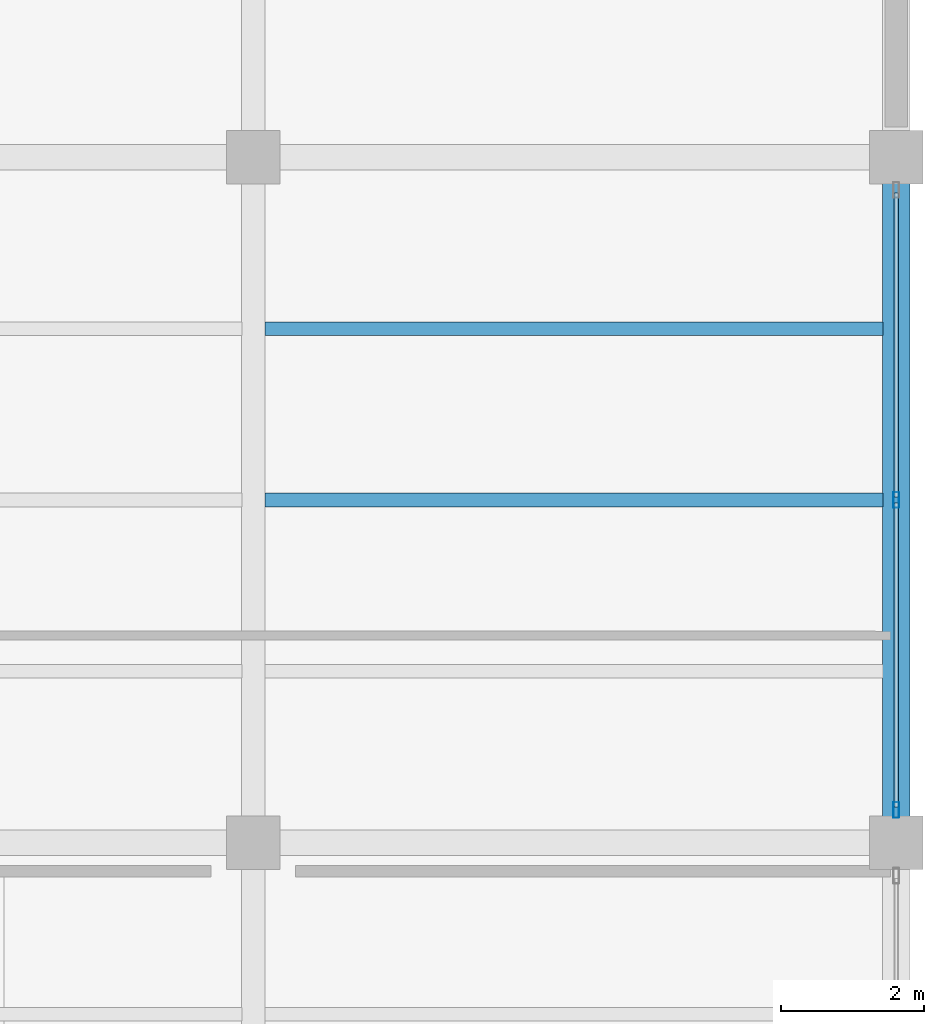
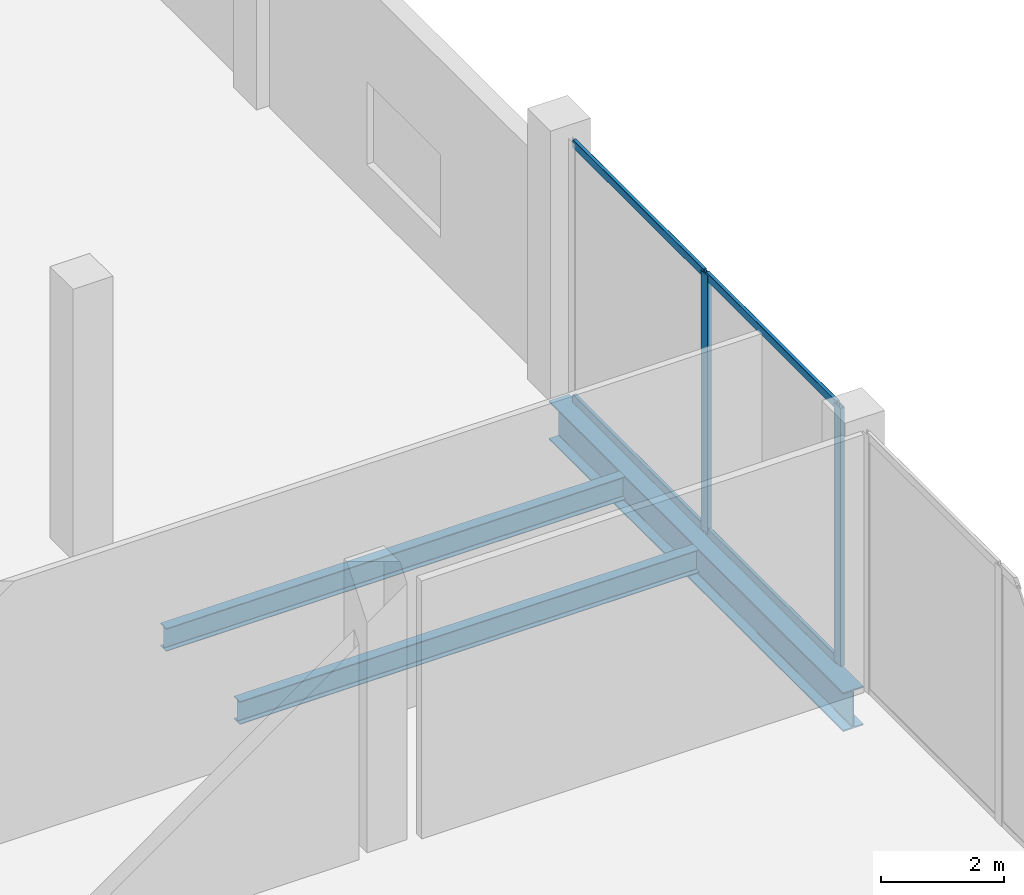
# One storey, part 22 of 47: 6 members, 3 beams, 1 element without a shape of its own.
"""IFC4 building model written with IfcOpenShell, lengths in metres."""

from ifc_helpers import new_model, si_unit, direction, frame, origin, origin_2d, place, context, subcontext, project, spatial, hollow_rectangle, i_section, extrude, material, layer, layer_set, material_profile, profile_set, type_object, element, aggregate, save


model = new_model("IFC4")

# Units and contexts
model_context = context("Model", 3, precision=1e-05, world=origin(), true_north=direction((0.0, 1.0)))
body_context = subcontext(model_context, "Body", "Model", "MODEL_VIEW")
ifc_project = project(units=[si_unit("LENGTHUNIT", "METRE"), si_unit("AREAUNIT", "SQUARE_METRE"), si_unit("VOLUMEUNIT", "CUBIC_METRE"), si_unit("PLANEANGLEUNIT", "RADIAN"), si_unit("MASSUNIT", "GRAM", prefix="KILO")], contexts=[model_context])

# Site, building, storey
site_placement = place(None, origin())
site = spatial("IfcSite", under=ifc_project, at=site_placement, CompositionType="ELEMENT")
building_placement = place(site_placement, origin())
building = spatial("IfcBuilding", under=site, at=building_placement, Name="Qorvath Tower", CompositionType="ELEMENT")
storey_placement = place(building_placement, frame((0.0, 0.0, 6.60009765625)))
storey = spatial("IfcBuildingStorey", under=building, at=storey_placement, Name="L01", CompositionType="ELEMENT", Elevation=6.60009765625)

# Beams
ifc_material_1 = material(Name="Steel ASTM A992 Grade 50", Category="steel")
ifc_material_profile_1 = material_profile(ifc_material_1, i_section(OverallWidth=0.381103515625, OverallDepth=0.77294921875, WebThickness=0.0166015625, FlangeThickness=0.027099609375, FilletRadius=0.01904296875, at=origin_2d()), Name="W30x173")
ifc_profile_set_1 = profile_set([ifc_material_profile_1], Name="Steel ASTM A992 Grade 50")
beam_type_1 = type_object("IfcBeamType", Name="BM-FG3", PredefinedType="BEAM", material=ifc_profile_set_1)
beam_placement = place(storey_placement, frame((77.39990234375, 9.60009765625, -0.646484375), z_axis=(0.0, 1.0, 0.0), x_axis=(-1.0, 0.0, 0.0)))
element("IfcBeam", 1, at=beam_placement, inside=storey, type_object=beam_type_1, Name="Library N-S Girder L01-6-6", PredefinedType="BEAM", context=body_context, shape_type="SweptSolid", body=[
    extrude(i_section(OverallWidth=0.381103515625, OverallDepth=0.77294921875, WebThickness=0.0166015625, FlangeThickness=0.027099609375, FilletRadius=0.01904296875, at=origin_2d()), origin(), (0.0, 0.0, 1.0), 9.599853515625),
])
ifc_material_2 = material(Name="Steel ASTM A992 Grade 50", Category="steel")
ifc_material_profile_2 = material_profile(ifc_material_2, i_section(OverallWidth=0.18994140625, OverallDepth=0.45703125, WebThickness=0.009033203125, FlangeThickness=0.014404296875, FilletRadius=0.011962890625, at=origin_2d()), Name="W18x50")
ifc_profile_set_2 = profile_set([ifc_material_profile_2], Name="Steel ASTM A992 Grade 50")
beam_type_2 = type_object("IfcBeamType", Name="BM-FJ2", PredefinedType="JOIST", material=ifc_profile_set_2)
for number, where, z_axis, x_axis, name in (
    (2, (68.560546875, 14.39990234375, -0.488525390625), (1.0, 0.0, 0.0), (0.0, 1.0, 0.0), "Library Stack Joist L01-6.2-5"),
    (3, (68.560546875, 16.800048828125, -0.488525390625), (1.0, 0.0, 0.0), (0.0, 1.0, 0.0), "Library Stack Joist L01-6.3-5"),
):
    element("IfcBeam", number, at=place(storey_placement, frame(where, z_axis=z_axis, x_axis=x_axis)), inside=storey, type_object=beam_type_2, Name=name, PredefinedType="JOIST", context=body_context, shape_type="SweptSolid", body=[
        extrude(i_section(OverallWidth=0.18994140625, OverallDepth=0.45703125, WebThickness=0.009033203125, FlangeThickness=0.014404296875, FilletRadius=0.011962890625, at=origin_2d()), origin(), (0.0, 0.0, 1.0), 8.65087890625),
    ])

# Curtain wall, members
ifc_material_3 = material(Name="Anodised aluminium and triple low-E glass", Category="aluminium")
ifc_layer = layer(ifc_material_3, 0.179931640625)
ifc_layer_set = layer_set([ifc_layer], Name="CW-SYS-6")
curtain_wall_type = type_object("IfcCurtainWallType", Name="CW-SYS-6", PredefinedType="NOTDEFINED", material=ifc_layer_set)
curtain_wall_placement = place(storey_placement, origin())
curtain_wall = element("IfcCurtainWall", 4, at=curtain_wall_placement, inside=storey, type_object=curtain_wall_type, Name="Curtain Wall CW-6 CW-LIB-E-L01-6", PredefinedType="NOTDEFINED")
ifc_material_4 = material(Name="Anodised aluminium 6063-T6", Category="aluminium")
ifc_material_profile_3 = material_profile(ifc_material_4, hollow_rectangle(XDim=0.080078125, YDim=0.219970703125, WallThickness=0.00439453125, InnerFilletRadius=0.00439453125, OuterFilletRadius=0.009033203125, at=origin_2d()), Name="CWM LIB 220x80")
ifc_profile_set_3 = profile_set([ifc_material_profile_3], Name="Anodised aluminium 6063-T6")
member_type_1 = type_object("IfcMemberType", Name="CWM-LIB", PredefinedType="MULLION", material=ifc_profile_set_3)
member_1_placement = place(storey_placement, frame((77.39990234375, 10.06005859375, 0.0), z_axis=(0.0, 0.0, 1.0), x_axis=(-1.0, 0.0, 0.0)))
member_1 = element("IfcMember", 5, at=member_1_placement, type_object=member_type_1, Name="CW-6 mullion 1", PredefinedType="MULLION", context=body_context, shape_type="SweptSolid", body=[
    extrude(hollow_rectangle(XDim=0.080078125, YDim=0.219970703125, WallThickness=0.00439453125, InnerFilletRadius=0.00439453125, OuterFilletRadius=0.009033203125, at=origin_2d()), origin(), (0.0, 0.0, 1.0), 5.139892578125),
])
member_2_placement = place(storey_placement, frame((77.39990234375, 14.39990234375, 0.0), z_axis=(0.0, 0.0, 1.0), x_axis=(-1.0, 0.0, 0.0)))
member_2 = element("IfcMember", 6, at=member_2_placement, type_object=member_type_1, Name="CW-6 mullion 2", PredefinedType="MULLION", context=body_context, shape_type="SweptSolid", body=[
    extrude(hollow_rectangle(XDim=0.080078125, YDim=0.219970703125, WallThickness=0.00439453125, InnerFilletRadius=0.00439453125, OuterFilletRadius=0.009033203125, at=origin_2d()), origin(), (0.0, 0.0, 1.0), 5.139892578125),
])
ifc_material_5 = material(Name="Anodised aluminium 6063-T6", Category="aluminium")
ifc_material_profile_4 = material_profile(ifc_material_5, hollow_rectangle(XDim=0.06494140625, YDim=0.159912109375, WallThickness=0.00341796875, InnerFilletRadius=0.00341796875, OuterFilletRadius=0.007080078125, at=origin_2d()), Name="CWT 160x65")
ifc_profile_set_4 = profile_set([ifc_material_profile_4], Name="Anodised aluminium 6063-T6")
member_type_2 = type_object("IfcMemberType", Name="CWT-160", PredefinedType="USERDEFINED", material=ifc_profile_set_4)
member_3_placement = place(storey_placement, frame((77.39990234375, 10.10009765625, 0.032470703125), z_axis=(0.0, 1.0, 0.0), x_axis=(-1.0, 0.0, 0.0)))
member_3 = element("IfcMember", 7, at=member_3_placement, type_object=member_type_2, Name="CW-6 transom 1.1", ObjectType="TRANSOM", PredefinedType="USERDEFINED", context=body_context, shape_type="SweptSolid", body=[
    extrude(hollow_rectangle(XDim=0.06494140625, YDim=0.159912109375, WallThickness=0.00341796875, InnerFilletRadius=0.00341796875, OuterFilletRadius=0.007080078125, at=origin_2d()), origin(), (0.0, 0.0, 1.0), 4.260009765625),
])
member_4_placement = place(storey_placement, frame((77.39990234375, 10.10009765625, 5.107421875), z_axis=(0.0, 1.0, 0.0), x_axis=(-1.0, 0.0, 0.0)))
member_4 = element("IfcMember", 8, at=member_4_placement, type_object=member_type_2, Name="CW-6 transom 1.2", ObjectType="TRANSOM", PredefinedType="USERDEFINED", context=body_context, shape_type="SweptSolid", body=[
    extrude(hollow_rectangle(XDim=0.06494140625, YDim=0.159912109375, WallThickness=0.00341796875, InnerFilletRadius=0.00341796875, OuterFilletRadius=0.007080078125, at=origin_2d()), origin(), (0.0, 0.0, 1.0), 4.260009765625),
])
member_5_placement = place(storey_placement, frame((77.39990234375, 14.43994140625, 0.032470703125), z_axis=(0.0, 1.0, 0.0), x_axis=(-1.0, 0.0, 0.0)))
member_5 = element("IfcMember", 9, at=member_5_placement, type_object=member_type_2, Name="CW-6 transom 2.1", ObjectType="TRANSOM", PredefinedType="USERDEFINED", context=body_context, shape_type="SweptSolid", body=[
    extrude(hollow_rectangle(XDim=0.06494140625, YDim=0.159912109375, WallThickness=0.00341796875, InnerFilletRadius=0.00341796875, OuterFilletRadius=0.007080078125, at=origin_2d()), origin(), (0.0, 0.0, 1.0), 4.260009765625),
])
member_6_placement = place(storey_placement, frame((77.39990234375, 14.43994140625, 5.107421875), z_axis=(0.0, 1.0, 0.0), x_axis=(-1.0, 0.0, 0.0)))
member_6 = element("IfcMember", 10, at=member_6_placement, type_object=member_type_2, Name="CW-6 transom 2.2", ObjectType="TRANSOM", PredefinedType="USERDEFINED", context=body_context, shape_type="SweptSolid", body=[
    extrude(hollow_rectangle(XDim=0.06494140625, YDim=0.159912109375, WallThickness=0.00341796875, InnerFilletRadius=0.00341796875, OuterFilletRadius=0.007080078125, at=origin_2d()), origin(), (0.0, 0.0, 1.0), 4.260009765625),
])
aggregate(curtain_wall, [member_1, member_2, member_3, member_4, member_5, member_6])

save(model, "model.ifc")
